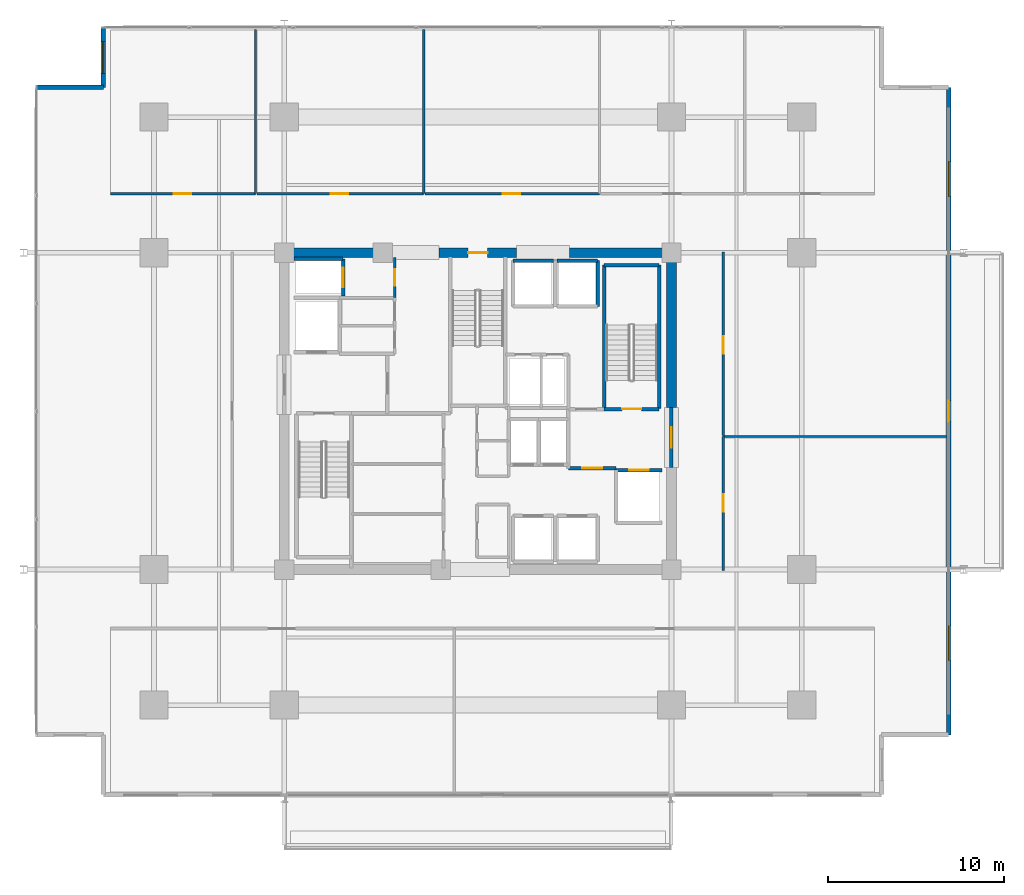
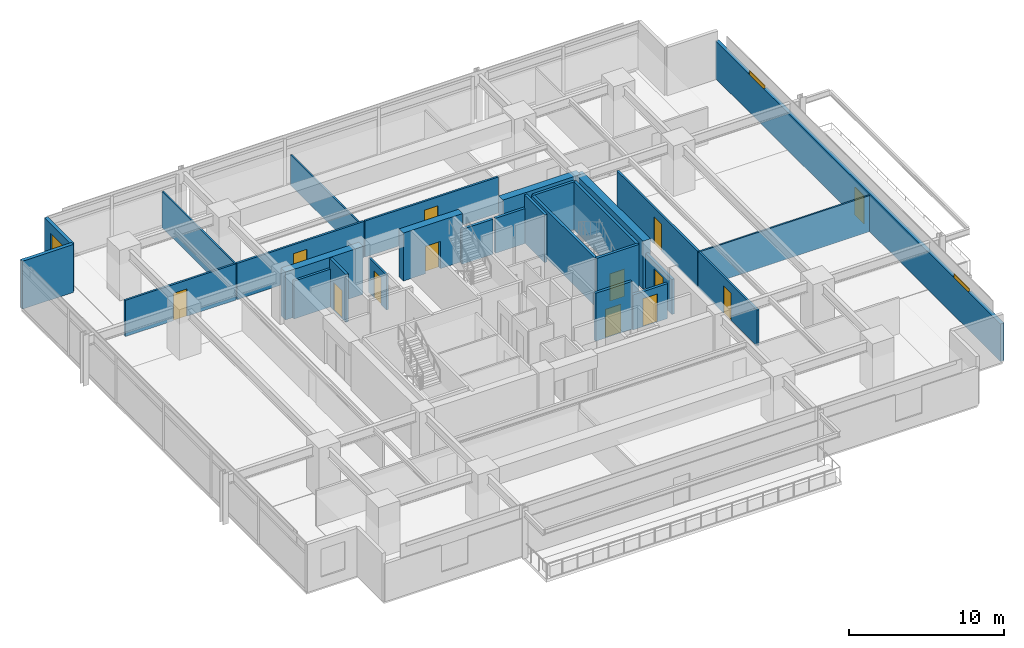
# One storey, part 15 of 21: 28 walls, 13 doors, 3 windows, 16 openings.
"""IFC4 building model written with IfcOpenShell, lengths in metres."""

import ifcopenshell
import ifcopenshell.guid

model = None  # the IFC model being written
_history = None  # IfcOwnerHistory: only IFC2X3 demands one
_inside = {}  # id of a spatial element -> (the spatial element, [elements in it])
_under = {}  # id of a project, library or spatial element -> (it, [spatial elements below it])
_declared = {}  # id of a project -> (the project, [libraries it declares])
_typed = {}  # id of a type object -> (the type object, [elements of that type])
_made_of = {}  # id of a material, layer set ... -> (it, [elements and type objects made of it])


def new_model(schema):
    """Start an empty IFC model of exactly this schema.

    Asked for "IFC4X3", IfcOpenShell would pick the latest addendum, in which some entities
    have other attributes; the version numbers below select the first issue.
    IFC2X3 requires an IfcOwnerHistory on every rooted entity: one is made here for all.
    """
    global model, _history
    if schema == "IFC4X3":
        model = ifcopenshell.file(schema_version=(4, 3, 0, 0))
    else:
        model = ifcopenshell.file(schema=schema)
    _inside.clear()
    _under.clear()
    _declared.clear()
    _typed.clear()
    _made_of.clear()
    _history = None
    if model.schema == "IFC2X3":
        org = make("IfcOrganization", Name="unknown")
        user = make(
            "IfcPersonAndOrganization",
            ThePerson=make("IfcPerson", FamilyName="unknown"),
            TheOrganization=org,
        )
        app = make(
            "IfcApplication",
            ApplicationDeveloper=org,
            Version="unknown",
            ApplicationFullName="unknown",
            ApplicationIdentifier="unknown",
        )
        _history = make(
            "IfcOwnerHistory",
            OwningUser=user,
            OwningApplication=app,
            ChangeAction="ADDED",
            CreationDate=0,
        )
    return model


def make(cls, **values):
    """One entity of the class cls with the attributes given. An attribute that is None is left unset."""
    return model.create_entity(
        cls, **{name: value for name, value in values.items() if value is not None}
    )


def rooted(cls, **values):
    """An entity with a GlobalId (a new one), such as an element, a storey or a relation."""
    return make(cls, GlobalId=ifcopenshell.guid.new(), OwnerHistory=_history, **values)


def si_unit(unit_type, name, prefix=None):
    """IfcSIUnit, for example si_unit("LENGTHUNIT", "METRE", prefix="MILLI")."""
    return make("IfcSIUnit", UnitType=unit_type, Prefix=prefix, Name=name)


def assignment(units):
    """IfcUnitAssignment: the units of a project."""
    return None if units is None else make("IfcUnitAssignment", Units=units)


def point(xyz):
    """IfcCartesianPoint."""
    return None if xyz is None else make("IfcCartesianPoint", Coordinates=xyz)


def direction(xyz):
    """IfcDirection."""
    return None if xyz is None else make("IfcDirection", DirectionRatios=xyz)


def frame(location, z_axis=None, x_axis=None):
    """IfcAxis2Placement3D, a coordinate frame: its origin and axes. An axis left out is left unset."""
    return make(
        "IfcAxis2Placement3D",
        Location=point(location),
        Axis=direction(z_axis),
        RefDirection=direction(x_axis),
    )


def frame_2d(location, x_axis=None):
    """IfcAxis2Placement2D, a coordinate frame in the plane: its origin and x axis."""
    return make(
        "IfcAxis2Placement2D", Location=point(location), RefDirection=direction(x_axis)
    )


def origin():
    """The frame at (0, 0, 0) with its axes left unset."""
    return frame((0.0, 0.0, 0.0))


def place(relative_to, where):
    """IfcLocalPlacement: puts the frame where relative to a parent placement (None: the world)."""
    return make(
        "IfcLocalPlacement", PlacementRelTo=relative_to, RelativePlacement=where
    )


def context(
    kind, dimensions, precision=None, world=None, true_north=None, identifier=None
):
    """IfcGeometricRepresentationContext, for example the 3D "Model" context."""
    return make(
        "IfcGeometricRepresentationContext",
        ContextIdentifier=identifier,
        ContextType=kind,
        CoordinateSpaceDimension=dimensions,
        Precision=precision,
        WorldCoordinateSystem=world,
        TrueNorth=true_north,
    )


def subcontext(parent, identifier, kind, view, scale=None):
    """IfcGeometricRepresentationSubContext, for example "Body" below "Model"."""
    return make(
        "IfcGeometricRepresentationSubContext",
        ContextIdentifier=identifier,
        ContextType=kind,
        ParentContext=parent,
        TargetScale=scale,
        TargetView=view,
    )


def project(units=None, contexts=None):
    """IfcProject with its units and contexts."""
    return rooted(
        "IfcProject",
        Name="project",
        RepresentationContexts=contexts,
        UnitsInContext=assignment(units),
    )


def spatial(cls, under=None, at=None, **own):
    """A site, building, storey or space (cls), placed at a placement, below another one or the project."""
    s = rooted(cls, ObjectPlacement=at, **own)
    if under is not None:
        _under.setdefault(under.id(), (under, []))[1].append(s)
    return s


def profile(cls, at=None, kind="AREA", **sizes):
    """A parametric profile (cls). Its sizes go by their IFC names, for example OverallWidth=200.0."""
    return make(cls, ProfileType=kind, Position=at, **sizes)


def rectangle(**sizes):
    """IfcRectangleProfileDef."""
    return profile("IfcRectangleProfileDef", **sizes)


def extrude(swept, where, along, depth):
    """IfcExtrudedAreaSolid: the profile swept, set in the frame where, extruded along a direction by depth."""
    return make(
        "IfcExtrudedAreaSolid",
        SweptArea=swept,
        Position=where,
        ExtrudedDirection=direction(along),
        Depth=depth,
    )


def shape(context_of_items, identifier, shape_type, items):
    """IfcShapeRepresentation: the items that make up one representation, for example the "Body"."""
    return make(
        "IfcShapeRepresentation",
        ContextOfItems=context_of_items,
        RepresentationIdentifier=identifier,
        RepresentationType=shape_type,
        Items=items,
    )


def material(Name=None, Category=None):
    """IfcMaterial."""
    return make("IfcMaterial", Name=Name, Category=Category)


def layer(
    of_material, thickness, ventilated=None, Name=None, Category=None, Priority=None
):
    """IfcMaterialLayer: one layer of a wall or slab, of a material (None: an air gap)."""
    return make(
        "IfcMaterialLayer",
        Material=of_material,
        LayerThickness=thickness,
        IsVentilated=ventilated,
        Name=Name,
        Category=Category,
        Priority=Priority,
    )


def layer_set(layers, Name=None):
    """IfcMaterialLayerSet."""
    return make("IfcMaterialLayerSet", MaterialLayers=layers, LayerSetName=Name)


def made_of(thing, what):
    """Note that an element or type object is made of a material, layer set ...; save() writes the relation."""
    if what is not None:
        _made_of.setdefault(what.id(), (what, []))[1].append(thing)
    return thing


def type_object(cls, material=None, **own):
    """A type object (cls), such as IfcWallType, which elements share."""
    return made_of(rooted(cls, **own), material)


def element(
    cls,
    number,
    at=None,
    inside=None,
    cuts=None,
    type_object=None,
    material=None,
    context=None,
    identifier="Body",
    shape_type=None,
    held_by="IfcProductDefinitionShape",
    body=None,
    shapes=None,
    **own,
):
    """One element of the class cls, such as IfcWall. Its Tag is "e" and its number.

    at: its placement. inside: the storey or other place that contains it. cuts: it is an
    opening in that element (IfcRelVoidsElement). A single representation is given by context,
    identifier, shape_type and body (its items); several are given by shapes. held_by: the class
    of the entity that holds the representations. save() writes the other relations.
    """
    e = rooted(cls, Tag="e%d" % number, ObjectPlacement=at, **own)
    if body is not None:
        shapes = [shape(context, identifier, shape_type, body)]
    if shapes is not None:
        e.Representation = make(held_by, Representations=shapes)
    if inside is not None:
        _inside.setdefault(inside.id(), (inside, []))[1].append(e)
    if cuts is not None:
        rooted(
            "IfcRelVoidsElement", RelatingBuildingElement=cuts, RelatedOpeningElement=e
        )
    if type_object is not None:
        _typed.setdefault(type_object.id(), (type_object, []))[1].append(e)
    return made_of(e, material)


def fill(opening, filler):
    """IfcRelFillsElement: the door or window that sits in an opening."""
    return rooted(
        "IfcRelFillsElement",
        RelatingOpeningElement=opening,
        RelatedBuildingElement=filler,
    )


def aggregate(whole, parts):
    """IfcRelAggregates: a whole, such as a stair, and the parts it consists of."""
    return rooted("IfcRelAggregates", RelatingObject=whole, RelatedObjects=parts)


def save(model, path):
    """Write the relations noted so far, then the file.

    IfcRelAggregates (storeys below a building ...), IfcRelContainedInSpatialStructure (elements
    in a storey), IfcRelDefinesByType, IfcRelAssociatesMaterial and IfcRelDeclares: one each for
    every whole, place, type object, material and project.
    """
    for whole, parts in _under.values():
        aggregate(whole, parts)
    for where, things in _inside.values():
        rooted(
            "IfcRelContainedInSpatialStructure",
            RelatedElements=things,
            RelatingStructure=where,
        )
    for kind, things in _typed.values():
        rooted("IfcRelDefinesByType", RelatedObjects=things, RelatingType=kind)
    for what, things in _made_of.values():
        rooted("IfcRelAssociatesMaterial", RelatedObjects=things, RelatingMaterial=what)
    for by, libraries in _declared.values():
        rooted("IfcRelDeclares", RelatingContext=by, RelatedDefinitions=libraries)
    model.write(path)


model = new_model("IFC4")

# Units and contexts
model_context = context("Model", 3, precision=1e-05, world=origin(), true_north=direction((0.0, 1.0)))
body_context = subcontext(model_context, "Body", "Model", "MODEL_VIEW")
ifc_project = project(units=[si_unit("LENGTHUNIT", "METRE"), si_unit("AREAUNIT", "SQUARE_METRE"), si_unit("VOLUMEUNIT", "CUBIC_METRE"), si_unit("PLANEANGLEUNIT", "RADIAN"), si_unit("MASSUNIT", "GRAM", prefix="KILO")], contexts=[model_context])

# Site, building, storey
site_placement = place(None, origin())
site = spatial("IfcSite", under=ifc_project, at=site_placement, CompositionType="ELEMENT")
building_placement = place(site_placement, origin())
building = spatial("IfcBuilding", under=site, at=building_placement, Name="Kovane Verandah Tower", CompositionType="ELEMENT")
storey_placement = place(building_placement, frame((0.0, 0.0, 172.39990234375)))
storey = spatial("IfcBuildingStorey", under=building, at=storey_placement, Name="L40", CompositionType="ELEMENT", Elevation=172.39990234375)

# Wall, opening, door
ifc_material_1 = material(Name="Fire-Rated Gypsum Stud Partition", Category="gypsum")
ifc_layer_1 = layer(ifc_material_1, 0.14990234375)
ifc_layer_set_1 = layer_set([ifc_layer_1], Name="Fire-Rated Gypsum Stud Partition")
wall_type_1 = type_object("IfcWallType", Name="WL-COR-150", PredefinedType="PARTITIONING", material=ifc_layer_set_1)
wall_1_placement = place(storey_placement, frame((35.280029296875, 33.949951171875, 0.0), z_axis=(0.0, 0.0, 1.0), x_axis=(0.0, 1.0, 0.0)))
wall_1 = element("IfcWall", 1, at=wall_1_placement, inside=storey, type_object=wall_type_1, Name="L40 Goods Lift Lobby East Fire Partition", PredefinedType="PARTITIONING", context=body_context, shape_type="SweptSolid", body=[
    extrude(rectangle(XDim=2.27001953125, YDim=0.14990234375, at=frame_2d((1.135009765625, 0.0))), origin(), (0.0, 0.0, 1.0), 2.755126953125),
])
opening_1_placement = place(wall_1_placement, frame((0.659912109375, 0.0, 0.0)))
opening_1 = element("IfcOpeningElement", 2, at=opening_1_placement, cuts=wall_1, Name="Opening DR-L40-008", PredefinedType="OPENING", context=body_context, shape_type="SweptSolid", body=[
    extrude(rectangle(XDim=0.949951171875, YDim=2.14990234375, at=frame_2d((0.47509765625, 1.074951171875))), frame((0.0, 0.074951171875, 0.0), z_axis=(0.0, -1.0, 0.0), x_axis=(1.0, 0.0, 0.0)), (0.0, 0.0, 1.0), 0.14990234375),
])
ifc_material_2 = material(Name="Fire-Rated Steel Refuge and Lobby Door", Category="steel")
door_type_1 = type_object("IfcDoorType", Name="DR-FIRE-950", OperationType="SINGLE_SWING_LEFT", PredefinedType="DOOR", material=ifc_material_2)
door_1_placement = place(opening_1_placement, origin())
door_1 = element("IfcDoor", 3, at=door_1_placement, inside=storey, type_object=door_type_1, Name="L40 Goods Lift Lobby Fire Door", OperationType="SINGLE_SWING_LEFT", OverallHeight=2.14990234375, OverallWidth=0.949951171875, PredefinedType="DOOR", context=body_context, shape_type="SweptSolid", body=[
    extrude(rectangle(XDim=0.949951171875, YDim=2.14990234375, at=frame_2d((0.47509765625, 1.074951171875))), frame((0.0, 0.02490234375, 0.0), z_axis=(0.0, -1.0, 0.0), x_axis=(1.0, 0.0, 0.0)), (0.0, 0.0, 1.0), 0.050048828125),
])
fill(opening_1, door_1)

wall_2_placement = place(storey_placement, frame((19.129638671875, 39.85009765625, 0.0), z_axis=(0.0, 0.0, 1.0), x_axis=(1.0, 0.0, 0.0)))
wall_2 = element("IfcWall", 4, at=wall_2_placement, inside=storey, type_object=wall_type_1, Name="L40 Breakout Pantry N1 Corridor Partition", PredefinedType="PARTITIONING", context=body_context, shape_type="SweptSolid", body=[
    extrude(rectangle(XDim=8.24755859375, YDim=0.14990234375, at=frame_2d((4.123779296875, 0.0))), origin(), (0.0, 0.0, 1.0), 2.85009765625),
])
opening_2_placement = place(wall_2_placement, frame((3.5888671875, 0.0, 0.0)))
opening_2 = element("IfcOpeningElement", 5, at=opening_2_placement, cuts=wall_2, Name="Opening DR-L40-020", PredefinedType="OPENING", context=body_context, shape_type="SweptSolid", body=[
    extrude(rectangle(XDim=1.0, YDim=2.14990234375, at=frame_2d((0.5, 1.074951171875))), frame((0.0, 0.074951171875, 0.0), z_axis=(0.0, -1.0, 0.0), x_axis=(1.0, 0.0, 0.0)), (0.0, 0.0, 1.0), 0.14990234375),
])
ifc_material_3 = material(Name="FSC Spotted-Gum Timber Fire-Rated Office Door", Category="wood")
door_type_2 = type_object("IfcDoorType", Name="DR-OFF-1000", OperationType="SINGLE_SWING_LEFT", PredefinedType="DOOR", material=ifc_material_3)
door_2_placement = place(opening_2_placement, origin())
door_2 = element("IfcDoor", 6, at=door_2_placement, inside=storey, type_object=door_type_2, Name="L40 Breakout Pantry N1 Entrance Door", OperationType="SINGLE_SWING_LEFT", OverallHeight=2.14990234375, OverallWidth=1.0, PredefinedType="DOOR", context=body_context, shape_type="SweptSolid", body=[
    extrude(rectangle(XDim=1.0, YDim=2.14990234375, at=frame_2d((0.5, 1.074951171875))), frame((0.0, 0.02490234375, 0.0), z_axis=(0.0, -1.0, 0.0), x_axis=(1.0, 0.0, 0.0)), (0.0, 0.0, 1.0), 0.050048828125),
])
fill(opening_2, door_2)

wall_3_placement = place(storey_placement, frame((27.447265625, 39.85009765625, 0.0), z_axis=(0.0, 0.0, 1.0), x_axis=(1.0, 0.0, 0.0)))
wall_3 = element("IfcWall", 7, at=wall_3_placement, inside=storey, type_object=wall_type_1, Name="L40 Collaboration Hub N2 Corridor Partition", PredefinedType="PARTITIONING", context=body_context, shape_type="SweptSolid", body=[
    extrude(rectangle(XDim=9.47998046875, YDim=0.14990234375, at=frame_2d((4.739990234375, 0.0))), origin(), (0.0, 0.0, 1.0), 2.85009765625),
])
opening_3_placement = place(wall_3_placement, frame((4.205078125, 0.0, 0.0)))
opening_3 = element("IfcOpeningElement", 8, at=opening_3_placement, cuts=wall_3, Name="Opening DR-L40-021", PredefinedType="OPENING", context=body_context, shape_type="SweptSolid", body=[
    extrude(rectangle(XDim=1.0, YDim=2.14990234375, at=frame_2d((0.5, 1.074951171875))), frame((0.0, 0.074951171875, 0.0), z_axis=(0.0, -1.0, 0.0), x_axis=(1.0, 0.0, 0.0)), (0.0, 0.0, 1.0), 0.14990234375),
])
door_3_placement = place(opening_3_placement, origin())
door_3 = element("IfcDoor", 9, at=door_3_placement, inside=storey, type_object=door_type_2, Name="L40 Collaboration Hub N2 Entrance Door", OperationType="SINGLE_SWING_RIGHT", OverallHeight=2.14990234375, OverallWidth=1.0, PredefinedType="DOOR", context=body_context, shape_type="SweptSolid", body=[
    extrude(rectangle(XDim=1.0, YDim=2.14990234375, at=frame_2d((0.5, 1.074951171875))), frame((0.0, 0.02490234375, 0.0), z_axis=(0.0, -1.0, 0.0), x_axis=(1.0, 0.0, 0.0)), (0.0, 0.0, 1.0), 0.050048828125),
])
fill(opening_3, door_3)

wall_4_placement = place(storey_placement, frame((36.997314453125, 39.85009765625, 0.0), z_axis=(0.0, 0.0, 1.0), x_axis=(1.0, 0.0, 0.0)))
wall_4 = element("IfcWall", 10, at=wall_4_placement, inside=storey, type_object=wall_type_1, Name="L40 Document and Print Room N3 Corridor Partition", PredefinedType="PARTITIONING", context=body_context, shape_type="SweptSolid", body=[
    extrude(rectangle(XDim=9.9140625, YDim=0.14990234375, at=frame_2d((4.95703125, 0.0))), origin(), (0.0, 0.0, 1.0), 2.85009765625),
])
opening_4_placement = place(wall_4_placement, frame((4.422119140625, 0.0, 0.0)))
opening_4 = element("IfcOpeningElement", 11, at=opening_4_placement, cuts=wall_4, Name="Opening DR-L40-022", PredefinedType="OPENING", context=body_context, shape_type="SweptSolid", body=[
    extrude(rectangle(XDim=1.0, YDim=2.14990234375, at=frame_2d((0.5, 1.074951171875))), frame((0.0, 0.074951171875, 0.0), z_axis=(0.0, -1.0, 0.0), x_axis=(1.0, 0.0, 0.0)), (0.0, 0.0, 1.0), 0.14990234375),
])
door_4_placement = place(opening_4_placement, origin())
door_4 = element("IfcDoor", 12, at=door_4_placement, inside=storey, type_object=door_type_2, Name="L40 Document and Print Room N3 Entrance Door", OperationType="SINGLE_SWING_LEFT", OverallHeight=2.14990234375, OverallWidth=1.0, PredefinedType="DOOR", context=body_context, shape_type="SweptSolid", body=[
    extrude(rectangle(XDim=1.0, YDim=2.14990234375, at=frame_2d((0.5, 1.074951171875))), frame((0.0, 0.02490234375, 0.0), z_axis=(0.0, -1.0, 0.0), x_axis=(1.0, 0.0, 0.0)), (0.0, 0.0, 1.0), 0.050048828125),
])
fill(opening_4, door_4)

wall_5_placement = place(storey_placement, frame((53.949951171875, 18.449951171875, 0.0), z_axis=(0.0, 0.0, 1.0), x_axis=(0.0, 1.0, 0.0)))
wall_5 = element("IfcWall", 13, at=wall_5_placement, inside=storey, type_object=wall_type_1, Name="L40 Breakout Pantry E1 Corridor Partition", PredefinedType="PARTITIONING", context=body_context, shape_type="SweptSolid", body=[
    extrude(rectangle(XDim=7.60205078125, YDim=0.14990234375, at=frame_2d((3.801025390625, 0.0))), origin(), (0.0, 0.0, 1.0), 2.85009765625),
])
opening_5_placement = place(wall_5_placement, frame((3.341064453125, 0.0, 0.0)))
opening_5 = element("IfcOpeningElement", 14, at=opening_5_placement, cuts=wall_5, Name="Opening DR-L40-013", PredefinedType="OPENING", context=body_context, shape_type="SweptSolid", body=[
    extrude(rectangle(XDim=1.0, YDim=2.14990234375, at=frame_2d((0.5, 1.074951171875))), frame((0.0, 0.074951171875, 0.0), z_axis=(0.0, -1.0, 0.0), x_axis=(1.0, 0.0, 0.0)), (0.0, 0.0, 1.0), 0.14990234375),
])
door_5_placement = place(opening_5_placement, origin())
door_5 = element("IfcDoor", 15, at=door_5_placement, inside=storey, type_object=door_type_2, Name="L40 Breakout Pantry E1 Entrance Door", OperationType="SINGLE_SWING_LEFT", OverallHeight=2.14990234375, OverallWidth=1.0, PredefinedType="DOOR", context=body_context, shape_type="SweptSolid", body=[
    extrude(rectangle(XDim=1.0, YDim=2.14990234375, at=frame_2d((0.5, 1.074951171875))), frame((0.0, 0.02490234375, 0.0), z_axis=(0.0, -1.0, 0.0), x_axis=(1.0, 0.0, 0.0)), (0.0, 0.0, 1.0), 0.050048828125),
])
fill(opening_5, door_5)

wall_6_placement = place(storey_placement, frame((53.949951171875, 26.1220703125, 0.0), z_axis=(0.0, 0.0, 1.0), x_axis=(0.0, 1.0, 0.0)))
wall_6 = element("IfcWall", 16, at=wall_6_placement, inside=storey, type_object=wall_type_1, Name="L40 Collaboration Hub E2 Corridor Partition", PredefinedType="PARTITIONING", context=body_context, shape_type="SweptSolid", body=[
    extrude(rectangle(XDim=10.427978515625, YDim=0.14990234375, at=frame_2d((5.2138671875, 0.0))), origin(), (0.0, 0.0, 1.0), 2.85009765625),
])
opening_6_placement = place(wall_6_placement, frame((4.638916015625, 0.0, 0.0)))
opening_6 = element("IfcOpeningElement", 17, at=opening_6_placement, cuts=wall_6, Name="Opening DR-L40-014", PredefinedType="OPENING", context=body_context, shape_type="SweptSolid", body=[
    extrude(rectangle(XDim=1.0, YDim=2.14990234375, at=frame_2d((0.5, 1.074951171875))), frame((0.0, 0.074951171875, 0.0), z_axis=(0.0, -1.0, 0.0), x_axis=(1.0, 0.0, 0.0)), (0.0, 0.0, 1.0), 0.14990234375),
])
door_6_placement = place(opening_6_placement, origin())
door_6 = element("IfcDoor", 18, at=door_6_placement, inside=storey, type_object=door_type_2, Name="L40 Collaboration Hub E2 Entrance Door", OperationType="SINGLE_SWING_RIGHT", OverallHeight=2.14990234375, OverallWidth=1.0, PredefinedType="DOOR", context=body_context, shape_type="SweptSolid", body=[
    extrude(rectangle(XDim=1.0, YDim=2.14990234375, at=frame_2d((0.5, 1.074951171875))), frame((0.0, 0.02490234375, 0.0), z_axis=(0.0, -1.0, 0.0), x_axis=(1.0, 0.0, 0.0)), (0.0, 0.0, 1.0), 0.050048828125),
])
fill(opening_6, door_6)

# Wall
ifc_material_4 = material(Name="Concrete C60/75", Category="concrete")
ifc_layer_2 = layer(ifc_material_4, 0.550048828125)
ifc_layer_set_2 = layer_set([ifc_layer_2], Name="Concrete C60/75")
wall_type_2 = type_object("IfcWallType", Name="WL-CORE-550", PredefinedType="SHEAR", material=ifc_layer_set_2)
wall_7_placement = place(storey_placement, frame((29.0, 36.5, 0.0), z_axis=(0.0, 0.0, 1.0), x_axis=(1.0, 0.0, 0.0)))
element("IfcWall", 19, at=wall_7_placement, inside=storey, type_object=wall_type_2, Name="L40 Core Shear Wall CN-1", PredefinedType="SHEAR", context=body_context, shape_type="SweptSolid", body=[
    extrude(rectangle(XDim=5.800048828125, YDim=0.550048828125, at=frame_2d((2.89990234375, 0.0))), origin(), (0.0, 0.0, 1.0), 3.775146484375),
])

# Wall, opening, door
wall_8_placement = place(storey_placement, frame((37.800048828125, 36.5, 0.0), z_axis=(0.0, 0.0, 1.0), x_axis=(1.0, 0.0, 0.0)))
wall_8 = element("IfcWall", 20, at=wall_8_placement, inside=storey, type_object=wall_type_2, Name="L40 Core Shear Wall CN-2", PredefinedType="SHEAR", context=body_context, shape_type="SweptSolid", body=[
    extrude(rectangle(XDim=4.39990234375, YDim=0.550048828125, at=frame_2d((2.199951171875, 0.0))), origin(), (0.0, 0.0, 1.0), 3.775146484375),
])
opening_7_placement = place(wall_8_placement, frame((1.64990234375, 0.0, 0.0)))
opening_7 = element("IfcOpeningElement", 21, at=opening_7_placement, cuts=wall_8, Name="Opening DR-L40-011", PredefinedType="OPENING", context=body_context, shape_type="SweptSolid", body=[
    extrude(rectangle(XDim=1.10009765625, YDim=2.14990234375, at=frame_2d((0.550048828125, 1.074951171875))), frame((0.0, 0.27490234375, 0.0), z_axis=(0.0, -1.0, 0.0), x_axis=(1.0, 0.0, 0.0)), (0.0, 0.0, 1.0), 0.550048828125),
])
ifc_material_5 = material(Name="Fire-Rated Steel Exit Door", Category="steel")
door_type_3 = type_object("IfcDoorType", Name="DR-STAIR-1100", OperationType="SINGLE_SWING_LEFT", PredefinedType="DOOR", material=ifc_material_5)
door_7_placement = place(opening_7_placement, origin())
door_7 = element("IfcDoor", 22, at=door_7_placement, inside=storey, type_object=door_type_3, Name="L40 ST-03 Fire Exit Stair Door", OperationType="SINGLE_SWING_LEFT", OverallHeight=2.14990234375, OverallWidth=1.10009765625, PredefinedType="DOOR", context=body_context, shape_type="SweptSolid", body=[
    extrude(rectangle(XDim=1.10009765625, YDim=2.14990234375, at=frame_2d((0.550048828125, 1.074951171875))), frame((0.0, 0.02490234375, 0.0), z_axis=(0.0, -1.0, 0.0), x_axis=(1.0, 0.0, 0.0)), (0.0, 0.0, 1.0), 0.050048828125),
])
fill(opening_7, door_7)

# Walls
wall_9_placement = place(storey_placement, frame((45.199951171875, 36.5, 0.0), z_axis=(0.0, 0.0, 1.0), x_axis=(1.0, 0.0, 0.0)))
element("IfcWall", 23, at=wall_9_placement, inside=storey, type_object=wall_type_2, Name="L40 Core Shear Wall CN-3", PredefinedType="SHEAR", context=body_context, shape_type="SweptSolid", body=[
    extrude(rectangle(XDim=5.800048828125, YDim=0.550048828125, at=frame_2d((2.89990234375, 0.0))), origin(), (0.0, 0.0, 1.0), 3.775146484375),
])
wall_10_placement = place(storey_placement, frame((51.0, 27.699951171875, 0.0), z_axis=(0.0, 0.0, 1.0), x_axis=(0.0, 1.0, 0.0)))
element("IfcWall", 24, at=wall_10_placement, inside=storey, type_object=wall_type_2, Name="L40 Core Shear Wall CE-2", PredefinedType="SHEAR", context=body_context, shape_type="SweptSolid", body=[
    extrude(rectangle(XDim=8.800048828125, YDim=0.550048828125, at=frame_2d((4.39990234375, 0.0))), origin(), (0.0, 0.0, 1.0), 3.775146484375),
])

# Wall, opening, door
ifc_material_6 = material(Name="Concrete C45/55 Fire Wall", Category="concrete")
ifc_layer_3 = layer(ifc_material_6, 0.199951171875)
ifc_layer_set_3 = layer_set([ifc_layer_3], Name="Concrete C45/55 Fire Wall")
wall_type_3 = type_object("IfcWallType", Name="WL-FFL-200", PredefinedType="PARTITIONING", material=ifc_layer_set_3)
wall_11_placement = place(storey_placement, frame((45.14990234375, 24.25, 0.0), z_axis=(0.0, 0.0, 1.0), x_axis=(1.0, 0.0, 0.0)))
wall_11 = element("IfcWall", 25, at=wall_11_placement, inside=storey, type_object=wall_type_3, Name="W-L40-FFLE-S", PredefinedType="PARTITIONING", context=body_context, shape_type="SweptSolid", body=[
    extrude(rectangle(XDim=2.7001953125, YDim=0.199951171875, at=frame_2d((1.35009765625, 0.0))), origin(), (0.0, 0.0, 1.0), 3.775146484375),
])
opening_8_placement = place(wall_11_placement, frame((0.77490234375, 0.0, 0.0)))
opening_8 = element("IfcOpeningElement", 26, at=opening_8_placement, cuts=wall_11, Name="Opening DR-L40-003", PredefinedType="OPENING", context=body_context, shape_type="SweptSolid", body=[
    extrude(rectangle(XDim=1.14990234375, YDim=2.199951171875, at=frame_2d((0.574951171875, 1.10009765625))), frame((0.0, 0.10009765625, 0.0), z_axis=(0.0, -1.0, 0.0), x_axis=(1.0, 0.0, 0.0)), (0.0, 0.0, 1.0), 0.199951171875),
])
ifc_material_7 = material(Name="Smoke-Sealed Firefighting Lobby Door", Category="steel")
door_type_4 = type_object("IfcDoorType", Name="DR-FFL-1150", OperationType="SINGLE_SWING_LEFT", PredefinedType="DOOR", material=ifc_material_7)
door_8_placement = place(opening_8_placement, origin())
door_8 = element("IfcDoor", 27, at=door_8_placement, inside=storey, type_object=door_type_4, Name="L40 East Firefighting Lobby Inner Door", OperationType="SINGLE_SWING_RIGHT", OverallHeight=2.199951171875, OverallWidth=1.14990234375, PredefinedType="DOOR", context=body_context, shape_type="SweptSolid", body=[
    extrude(rectangle(XDim=1.14990234375, YDim=2.199951171875, at=frame_2d((0.574951171875, 1.10009765625))), frame((0.0, 0.02490234375, 0.0), z_axis=(0.0, -1.0, 0.0), x_axis=(1.0, 0.0, 0.0)), (0.0, 0.0, 1.0), 0.050048828125),
])
fill(opening_8, door_8)

wall_12_placement = place(storey_placement, frame((51.0, 24.300048828125, 0.0), z_axis=(0.0, 0.0, 1.0), x_axis=(0.0, 1.0, 0.0)))
wall_12 = element("IfcWall", 28, at=wall_12_placement, inside=storey, type_object=wall_type_3, Name="W-L40-FFLE-OUT", PredefinedType="PARTITIONING", context=body_context, shape_type="SweptSolid", body=[
    extrude(rectangle(XDim=3.39990234375, YDim=0.199951171875, at=frame_2d((1.699951171875, 0.0))), origin(), (0.0, 0.0, 1.0), 2.755126953125),
])
opening_9_placement = place(wall_12_placement, frame((1.125, 0.0, 0.0)))
opening_9 = element("IfcOpeningElement", 29, at=opening_9_placement, cuts=wall_12, Name="Opening DR-L40-005", PredefinedType="OPENING", context=body_context, shape_type="SweptSolid", body=[
    extrude(rectangle(XDim=1.14990234375, YDim=2.199951171875, at=frame_2d((0.574951171875, 1.10009765625))), frame((0.0, 0.10009765625, 0.0), z_axis=(0.0, -1.0, 0.0), x_axis=(1.0, 0.0, 0.0)), (0.0, 0.0, 1.0), 0.199951171875),
])
door_9_placement = place(opening_9_placement, origin())
door_9 = element("IfcDoor", 30, at=door_9_placement, inside=storey, type_object=door_type_4, Name="L40 East Firefighting Lobby Corridor Door", OperationType="SINGLE_SWING_LEFT", OverallHeight=2.199951171875, OverallWidth=1.14990234375, PredefinedType="DOOR", context=body_context, shape_type="SweptSolid", body=[
    extrude(rectangle(XDim=1.14990234375, YDim=2.199951171875, at=frame_2d((0.574951171875, 1.10009765625))), frame((0.0, 0.02490234375, 0.0), z_axis=(0.0, -1.0, 0.0), x_axis=(1.0, 0.0, 0.0)), (0.0, 0.0, 1.0), 0.050048828125),
])
fill(opening_9, door_9)

ifc_material_8 = material(Name="Concrete C45/55 Lift Shaft Wall", Category="concrete")
ifc_layer_4 = layer(ifc_material_8, 0.199951171875)
ifc_layer_set_4 = layer_set([ifc_layer_4], Name="Concrete C45/55 Lift Shaft Wall")
wall_type_4 = type_object("IfcWallType", Name="WL-LIFT-200", PredefinedType="SOLIDWALL", material=ifc_layer_set_4)
wall_13_placement = place(storey_placement, frame((50.449951171875, 24.14990234375, 0.0), z_axis=(0.0, 0.0, 1.0), x_axis=(-1.0, 0.0, 0.0)))
wall_13 = element("IfcWall", 31, at=wall_13_placement, inside=storey, type_object=wall_type_4, Name="L40 Lift FL-02 N Shaft Wall", PredefinedType="SOLIDWALL", context=body_context, shape_type="SweptSolid", body=[
    extrude(rectangle(XDim=2.599853515625, YDim=0.199951171875, at=frame_2d((1.2998046875, 0.0))), origin(), (0.0, 0.0, 1.0), 2.755126953125),
])
opening_10_placement = place(wall_13_placement, frame((0.75, 0.0, 0.0)))
opening_10 = element("IfcOpeningElement", 32, at=opening_10_placement, cuts=wall_13, Name="Opening LD-L40-002", PredefinedType="OPENING", context=body_context, shape_type="SweptSolid", body=[
    extrude(rectangle(XDim=1.10009765625, YDim=2.199951171875, at=frame_2d((0.550048828125, 1.10009765625))), frame((0.0, 0.10009765625, 0.0), z_axis=(0.0, -1.0, 0.0), x_axis=(1.0, 0.0, 0.0)), (0.0, 0.0, 1.0), 0.199951171875),
])
ifc_material_9 = material(Name="Brushed Stainless Steel Sliding Lift Landing Door", Category="steel")
door_type_5 = type_object("IfcDoorType", Name="DR-LIFT-1100", OperationType="SLIDING_TO_RIGHT", PredefinedType="DOOR", material=ifc_material_9)
door_10_placement = place(opening_10_placement, origin())
door_10 = element("IfcDoor", 33, at=door_10_placement, inside=storey, type_object=door_type_5, Name="L40 Lift FL-02 Sliding Landing Door", OperationType="SLIDING_TO_RIGHT", OverallHeight=2.199951171875, OverallWidth=1.10009765625, PredefinedType="DOOR", context=body_context, shape_type="SweptSolid", body=[
    extrude(rectangle(XDim=1.10009765625, YDim=2.199951171875, at=frame_2d((0.550048828125, 1.10009765625))), frame((0.0, 0.02490234375, 0.0), z_axis=(0.0, -1.0, 0.0), x_axis=(1.0, 0.0, 0.0)), (0.0, 0.0, 1.0), 0.050048828125),
])
fill(opening_10, door_10)

# Wall
wall_14_placement = place(storey_placement, frame((32.35009765625, 36.14990234375, 0.0), z_axis=(0.0, 0.0, 1.0), x_axis=(-1.0, 0.0, 0.0)))
element("IfcWall", 34, at=wall_14_placement, inside=storey, type_object=wall_type_4, Name="L40 Lift GL-01 N Shaft Wall", PredefinedType="SOLIDWALL", context=body_context, shape_type="SweptSolid", body=[
    extrude(rectangle(XDim=2.800048828125, YDim=0.199951171875, at=frame_2d((1.39990234375, 0.0))), origin(), (0.0, 0.0, 1.0), 2.9853515625),
])

# Wall, opening, door
wall_15_placement = place(storey_placement, frame((32.35009765625, 34.050048828125, 0.0), z_axis=(0.0, 0.0, 1.0), x_axis=(0.0, 1.0, 0.0)))
wall_15 = element("IfcWall", 35, at=wall_15_placement, inside=storey, type_object=wall_type_4, Name="L40 Lift GL-01 E Shaft Wall", PredefinedType="SOLIDWALL", context=body_context, shape_type="SweptSolid", body=[
    extrude(rectangle(XDim=2.099853515625, YDim=0.199951171875, at=frame_2d((1.0498046875, 0.0))), origin(), (0.0, 0.0, 1.0), 3.775146484375),
])
opening_11_placement = place(wall_15_placement, frame((0.5, 0.0, 0.0)))
opening_11 = element("IfcOpeningElement", 36, at=opening_11_placement, cuts=wall_15, Name="Opening LD-L40-003", PredefinedType="OPENING", context=body_context, shape_type="SweptSolid", body=[
    extrude(rectangle(XDim=1.10009765625, YDim=2.199951171875, at=frame_2d((0.550048828125, 1.10009765625))), frame((0.0, 0.10009765625, 0.0), z_axis=(0.0, -1.0, 0.0), x_axis=(1.0, 0.0, 0.0)), (0.0, 0.0, 1.0), 0.199951171875),
])
door_11_placement = place(opening_11_placement, origin())
door_11 = element("IfcDoor", 37, at=door_11_placement, inside=storey, type_object=door_type_5, Name="L40 Lift GL-01 Sliding Landing Door", OperationType="SLIDING_TO_RIGHT", OverallHeight=2.199951171875, OverallWidth=1.10009765625, PredefinedType="DOOR", context=body_context, shape_type="SweptSolid", body=[
    extrude(rectangle(XDim=1.10009765625, YDim=2.199951171875, at=frame_2d((0.550048828125, 1.10009765625))), frame((0.0, 0.02490234375, 0.0), z_axis=(0.0, -1.0, 0.0), x_axis=(1.0, 0.0, 0.0)), (0.0, 0.0, 1.0), 0.050048828125),
])
fill(opening_11, door_11)

# Walls
for number, where, z_axis, x_axis, name in (
    (38, (44.300048828125, 36.050048828125, 0.0), (0.0, 0.0, 1.0), (-1.0, 0.0, 0.0), "L40 Lift SL-01 N Shaft Wall"),
    (39, (46.800048828125, 36.050048828125, 0.0), (0.0, 0.0, 1.0), (-1.0, 0.0, 0.0), "L40 Lift OL-01 N Shaft Wall"),
):
    element("IfcWall", number, at=place(storey_placement, frame(where, z_axis=z_axis, x_axis=x_axis)), inside=storey, type_object=wall_type_4, Name=name, PredefinedType="SOLIDWALL", context=body_context, shape_type="SweptSolid", body=[
        extrude(rectangle(XDim=2.300048828125, YDim=0.199951171875, at=frame_2d((1.14990234375, 0.0))), origin(), (0.0, 0.0, 1.0), 2.755126953125),
    ])
wall_16_placement = place(storey_placement, frame((46.800048828125, 33.449951171875, 0.0), z_axis=(0.0, 0.0, 1.0), x_axis=(0.0, 1.0, 0.0)))
element("IfcWall", 40, at=wall_16_placement, inside=storey, type_object=wall_type_4, Name="L40 Lift OL-01 E Shaft Wall", PredefinedType="SOLIDWALL", context=body_context, shape_type="SweptSolid", body=[
    extrude(rectangle(XDim=2.60009765625, YDim=0.199951171875, at=frame_2d((1.300048828125, 0.0))), origin(), (0.0, 0.0, 1.0), 3.775146484375),
])
ifc_material_10 = material(Name="Acoustic Fire-Rated Gypsum Partition", Category="gypsum")
ifc_layer_5 = layer(ifc_material_10, 0.1201171875)
ifc_layer_set_5 = layer_set([ifc_layer_5], Name="Acoustic Fire-Rated Gypsum Partition")
wall_type_5 = type_object("IfcWallType", Name="WL-PART-120", PredefinedType="PARTITIONING", material=ifc_layer_set_5)
wall_17_placement = place(storey_placement, frame((27.377197265625, 39.85009765625, 0.0), z_axis=(0.0, 0.0, 1.0), x_axis=(0.0, 1.0, 0.0)))
element("IfcWall", 41, at=wall_17_placement, inside=storey, type_object=wall_type_5, Name="L40 Breakout Pantry N1 Dividing Partition", PredefinedType="PARTITIONING", context=body_context, shape_type="SweptSolid", body=[
    extrude(rectangle(XDim=9.339111328125, YDim=0.1201171875, at=frame_2d((4.66943359375, 0.0))), origin(), (0.0, 0.0, 1.0), 2.85009765625),
])
wall_18_placement = place(storey_placement, frame((36.92724609375, 39.85009765625, 0.0), z_axis=(0.0, 0.0, 1.0), x_axis=(0.0, 1.0, 0.0)))
element("IfcWall", 42, at=wall_18_placement, inside=storey, type_object=wall_type_5, Name="L40 Collaboration Hub N2 Dividing Partition", PredefinedType="PARTITIONING", context=body_context, shape_type="SweptSolid", body=[
    extrude(rectangle(XDim=9.339111328125, YDim=0.1201171875, at=frame_2d((4.66943359375, 0.0))), origin(), (0.0, 0.0, 1.0), 2.405029296875),
])
wall_19_placement = place(storey_placement, frame((53.949951171875, 26.052001953125, 0.0), z_axis=(0.0, 0.0, 1.0), x_axis=(1.0, 0.0, 0.0)))
element("IfcWall", 43, at=wall_19_placement, inside=storey, type_object=wall_type_5, Name="L40 Breakout Pantry E1 Dividing Partition", PredefinedType="PARTITIONING", context=body_context, shape_type="SweptSolid", body=[
    extrude(rectangle(XDim=12.688720703125, YDim=0.1201171875, at=frame_2d((6.34423828125, 0.0))), origin(), (0.0, 0.0, 1.0), 2.85009765625),
])
ifc_material_11 = material(Name="Concrete C45/55", Category="concrete")
ifc_layer_6 = layer(ifc_material_11, 0.199951171875)
ifc_layer_set_6 = layer_set([ifc_layer_6], Name="Concrete C45/55")
wall_type_6 = type_object("IfcWallType", Name="WL-SHAFT-200", PredefinedType="SOLIDWALL", material=ifc_layer_set_6)
wall_20_placement = place(storey_placement, frame((50.300048828125, 27.64990234375, 0.0), z_axis=(0.0, 0.0, 1.0), x_axis=(0.0, 1.0, 0.0)))
element("IfcWall", 44, at=wall_20_placement, inside=storey, type_object=wall_type_6, Name="W-L40-ST02-E", PredefinedType="SOLIDWALL", context=body_context, shape_type="SweptSolid", body=[
    extrude(rectangle(XDim=8.150146484375, YDim=0.199951171875, at=frame_2d((4.0751953125, 0.0))), origin(), (0.0, 0.0, 1.0), 3.775146484375),
])
wall_21_placement = place(storey_placement, frame((47.179931640625, 35.800048828125, 0.0), z_axis=(0.0, 0.0, 1.0), x_axis=(1.0, 0.0, 0.0)))
element("IfcWall", 45, at=wall_21_placement, inside=storey, type_object=wall_type_6, Name="W-L40-ST02-N", PredefinedType="SOLIDWALL", context=body_context, shape_type="SweptSolid", body=[
    extrude(rectangle(XDim=3.1201171875, YDim=0.199951171875, at=frame_2d((1.56005859375, 0.0))), origin(), (0.0, 0.0, 1.0), 3.775146484375),
])
wall_22_placement = place(storey_placement, frame((47.179931640625, 27.6201171875, 0.0), z_axis=(0.0, 0.0, 1.0), x_axis=(0.0, 1.0, 0.0)))
element("IfcWall", 46, at=wall_22_placement, inside=storey, type_object=wall_type_6, Name="W-L40-ST02-W", PredefinedType="SOLIDWALL", context=body_context, shape_type="SweptSolid", body=[
    extrude(rectangle(XDim=8.179931640625, YDim=0.199951171875, at=frame_2d((4.08984375, 0.0))), origin(), (0.0, 0.0, 1.0), 3.775146484375),
])

# Wall, opening, door
wall_23_placement = place(storey_placement, frame((47.179931640625, 27.6201171875, 0.0), z_axis=(0.0, 0.0, 1.0), x_axis=(1.0, 0.0, 0.0)))
wall_23 = element("IfcWall", 47, at=wall_23_placement, inside=storey, type_object=wall_type_6, Name="W-L40-ST02-S", PredefinedType="SOLIDWALL", context=body_context, shape_type="SweptSolid", body=[
    extrude(rectangle(XDim=3.1201171875, YDim=0.199951171875, at=frame_2d((1.56005859375, 0.0))), origin(), (0.0, 0.0, 1.0), 3.775146484375),
])
opening_12_placement = place(wall_23_placement, frame((1.010009765625, 0.0, 0.0)))
opening_12 = element("IfcOpeningElement", 48, at=opening_12_placement, cuts=wall_23, Name="Opening DR-L40-010", PredefinedType="OPENING", context=body_context, shape_type="SweptSolid", body=[
    extrude(rectangle(XDim=1.10009765625, YDim=2.14990234375, at=frame_2d((0.550048828125, 1.074951171875))), frame((0.0, 0.10009765625, 0.0), z_axis=(0.0, -1.0, 0.0), x_axis=(1.0, 0.0, 0.0)), (0.0, 0.0, 1.0), 0.199951171875),
])
door_12_placement = place(opening_12_placement, origin())
door_12 = element("IfcDoor", 49, at=door_12_placement, inside=storey, type_object=door_type_3, Name="L40 ST-02 Fire Exit Stair Door", OperationType="SINGLE_SWING_RIGHT", OverallHeight=2.14990234375, OverallWidth=1.10009765625, PredefinedType="DOOR", context=body_context, shape_type="SweptSolid", body=[
    extrude(rectangle(XDim=1.10009765625, YDim=2.14990234375, at=frame_2d((0.550048828125, 1.074951171875))), frame((0.0, 0.02490234375, 0.0), z_axis=(0.0, -1.0, 0.0), x_axis=(1.0, 0.0, 0.0)), (0.0, 0.0, 1.0), 0.050048828125),
])
fill(opening_12, door_12)

# Wall, openings, door, windows
ifc_material_12 = material(Name="Concrete C45/55 Insulated Spandrel Wall", Category="concrete")
ifc_layer_7 = layer(ifc_material_12, 0.260009765625)
ifc_layer_set_7 = layer_set([ifc_layer_7], Name="Concrete C45/55 Insulated Spandrel Wall")
wall_type_7 = type_object("IfcWallType", Name="WL-SPANDREL-260", PredefinedType="PARAPET", material=ifc_layer_set_7)
wall_24_placement = place(storey_placement, frame((66.73876953125, 9.110595703125, 0.0), z_axis=(0.0, 0.0, 1.0), x_axis=(0.0, 1.0, 0.0)))
wall_24 = element("IfcWall", 50, at=wall_24_placement, inside=storey, type_object=wall_type_7, Name="L40 E Verandah Access Facade Wall", PredefinedType="PARAPET", context=body_context, shape_type="SweptSolid", body=[
    extrude(rectangle(XDim=36.77880859375, YDim=0.260009765625, at=frame_2d((18.389404296875, 0.0))), origin(), (0.0, 0.0, 1.0), 2.97021484375),
])
opening_13_placement = place(wall_24_placement, frame((4.199951171875, 0.0, 0.85009765625)))
opening_13 = element("IfcOpeningElement", 51, at=opening_13_placement, cuts=wall_24, Name="Opening W-04", PredefinedType="OPENING", context=body_context, shape_type="SweptSolid", body=[
    extrude(rectangle(XDim=2.0, YDim=2.300048828125, at=frame_2d((1.0, 1.14990234375))), frame((0.0, 0.1298828125, 0.0), z_axis=(0.0, -1.0, 0.0), x_axis=(1.0, 0.0, 0.0)), (0.0, 0.0, 1.0), 0.260009765625),
])
opening_14_placement = place(wall_24_placement, frame((17.789306640625, 0.0, 0.0)))
opening_14 = element("IfcOpeningElement", 52, at=opening_14_placement, cuts=wall_24, Name="Opening DR-L40-001", PredefinedType="OPENING", context=body_context, shape_type="SweptSolid", body=[
    extrude(rectangle(XDim=1.199951171875, YDim=2.199951171875, at=frame_2d((0.60009765625, 1.10009765625))), frame((0.0, 0.1298828125, 0.0), z_axis=(0.0, -1.0, 0.0), x_axis=(1.0, 0.0, 0.0)), (0.0, 0.0, 1.0), 0.260009765625),
])
opening_15_placement = place(wall_24_placement, frame((30.57861328125, 0.0, 0.85009765625)))
opening_15 = element("IfcOpeningElement", 53, at=opening_15_placement, cuts=wall_24, Name="Opening W-04", PredefinedType="OPENING", context=body_context, shape_type="SweptSolid", body=[
    extrude(rectangle(XDim=2.0, YDim=2.300048828125, at=frame_2d((1.0, 1.14990234375))), frame((0.0, 0.1298828125, 0.0), z_axis=(0.0, -1.0, 0.0), x_axis=(1.0, 0.0, 0.0)), (0.0, 0.0, 1.0), 0.260009765625),
])
ifc_material_13 = material(Name="Cyclone-Rated Glazed Balcony Leaf Door", Category="aluminium")
door_type_6 = type_object("IfcDoorType", Name="DR-BAL-1200x2200", OperationType="SINGLE_SWING_LEFT", PredefinedType="DOOR", material=ifc_material_13)
door_13_placement = place(opening_14_placement, origin())
door_13 = element("IfcDoor", 54, at=door_13_placement, inside=storey, type_object=door_type_6, Name="L40 E Planted Balcony Access Door", OperationType="SINGLE_SWING_LEFT", OverallHeight=2.199951171875, OverallWidth=1.199951171875, PredefinedType="DOOR", context=body_context, shape_type="SweptSolid", body=[
    extrude(rectangle(XDim=1.199951171875, YDim=2.199951171875, at=frame_2d((0.60009765625, 1.10009765625))), frame((0.0, 0.02490234375, 0.0), z_axis=(0.0, -1.0, 0.0), x_axis=(1.0, 0.0, 0.0)), (0.0, 0.0, 1.0), 0.050048828125),
])
fill(opening_14, door_13)
ifc_material_14 = material(Name="Clear Low-E Laminated Double Glazing in Anodised Frame", Category="glass")
window_type_1 = type_object("IfcWindowType", Name="WN-FIXED-2000x2300", PartitioningType="SINGLE_PANEL", PredefinedType="WINDOW", material=ifc_material_14)
window_1_placement = place(opening_13_placement, origin())
window_1 = element("IfcWindow", 55, at=window_1_placement, inside=storey, type_object=window_type_1, Name="L40 E Verandah View Window 1", OverallHeight=2.300048828125, OverallWidth=2.0, PartitioningType="SINGLE_PANEL", PredefinedType="WINDOW", context=body_context, shape_type="SweptSolid", body=[
    extrude(rectangle(XDim=2.0, YDim=2.300048828125, at=frame_2d((1.0, 1.14990234375))), frame((0.0, 0.030029296875, 0.0), z_axis=(0.0, -1.0, 0.0), x_axis=(1.0, 0.0, 0.0)), (0.0, 0.0, 1.0), 0.06005859375),
])
fill(opening_13, window_1)
window_2_placement = place(opening_15_placement, origin())
window_2 = element("IfcWindow", 56, at=window_2_placement, inside=storey, type_object=window_type_1, Name="L40 E Verandah View Window 2", OverallHeight=2.300048828125, OverallWidth=2.0, PartitioningType="SINGLE_PANEL", PredefinedType="WINDOW", context=body_context, shape_type="SweptSolid", body=[
    extrude(rectangle(XDim=2.0, YDim=2.300048828125, at=frame_2d((1.0, 1.14990234375))), frame((0.0, 0.030029296875, 0.0), z_axis=(0.0, -1.0, 0.0), x_axis=(1.0, 0.0, 0.0)), (0.0, 0.0, 1.0), 0.06005859375),
])
fill(opening_15, window_2)

# Wall, opening, window
wall_25_placement = place(storey_placement, frame((18.7294921875, 49.289306640625, 0.0), z_axis=(0.0, 0.0, 1.0), x_axis=(0.0, -1.0, 0.0)))
wall_25 = element("IfcWall", 57, at=wall_25_placement, inside=storey, type_object=wall_type_7, Name="L40 NW Notch Cheek Wall 1", PredefinedType="PARAPET", context=body_context, shape_type="SweptSolid", body=[
    extrude(rectangle(XDim=3.39990234375, YDim=0.260009765625, at=frame_2d((1.699951171875, 0.0))), origin(), (0.0, 0.0, 1.0), 3.775146484375),
])
opening_16_placement = place(wall_25_placement, frame((0.800048828125, 0.0, 0.85009765625)))
opening_16 = element("IfcOpeningElement", 58, at=opening_16_placement, cuts=wall_25, Name="Opening W-03", PredefinedType="OPENING", context=body_context, shape_type="SweptSolid", body=[
    extrude(rectangle(XDim=1.800048828125, YDim=2.199951171875, at=frame_2d((0.89990234375, 1.10009765625))), frame((0.0, 0.1298828125, 0.0), z_axis=(0.0, -1.0, 0.0), x_axis=(1.0, 0.0, 0.0)), (0.0, 0.0, 1.0), 0.260009765625),
])
window_type_2 = type_object("IfcWindowType", Name="WN-NOTCH-1800x2200", PartitioningType="SINGLE_PANEL", PredefinedType="WINDOW", material=ifc_material_14)
window_3_placement = place(opening_16_placement, origin())
window_3 = element("IfcWindow", 59, at=window_3_placement, inside=storey, type_object=window_type_2, Name="L40 NW Re-Entrant Corner Operable Window", OverallHeight=2.199951171875, OverallWidth=1.800048828125, PartitioningType="SINGLE_PANEL", PredefinedType="WINDOW", context=body_context, shape_type="SweptSolid", body=[
    extrude(rectangle(XDim=1.800048828125, YDim=2.199951171875, at=frame_2d((0.89990234375, 1.10009765625))), frame((0.0, 0.030029296875, 0.0), z_axis=(0.0, -1.0, 0.0), x_axis=(1.0, 0.0, 0.0)), (0.0, 0.0, 1.0), 0.06005859375),
])
fill(opening_16, window_3)

# Wall
wall_26_placement = place(storey_placement, frame((18.7294921875, 45.889404296875, 0.0), z_axis=(0.0, 0.0, 1.0), x_axis=(-1.0, 0.0, 0.0)))
element("IfcWall", 60, at=wall_26_placement, inside=storey, type_object=wall_type_7, Name="L40 NW Notch Cheek Wall 2", PredefinedType="PARAPET", context=body_context, shape_type="SweptSolid", body=[
    extrude(rectangle(XDim=3.7998046875, YDim=0.260009765625, at=frame_2d((1.89990234375, 0.0))), origin(), (0.0, 0.0, 1.0), 3.775146484375),
])

save(model, "model.ifc")
